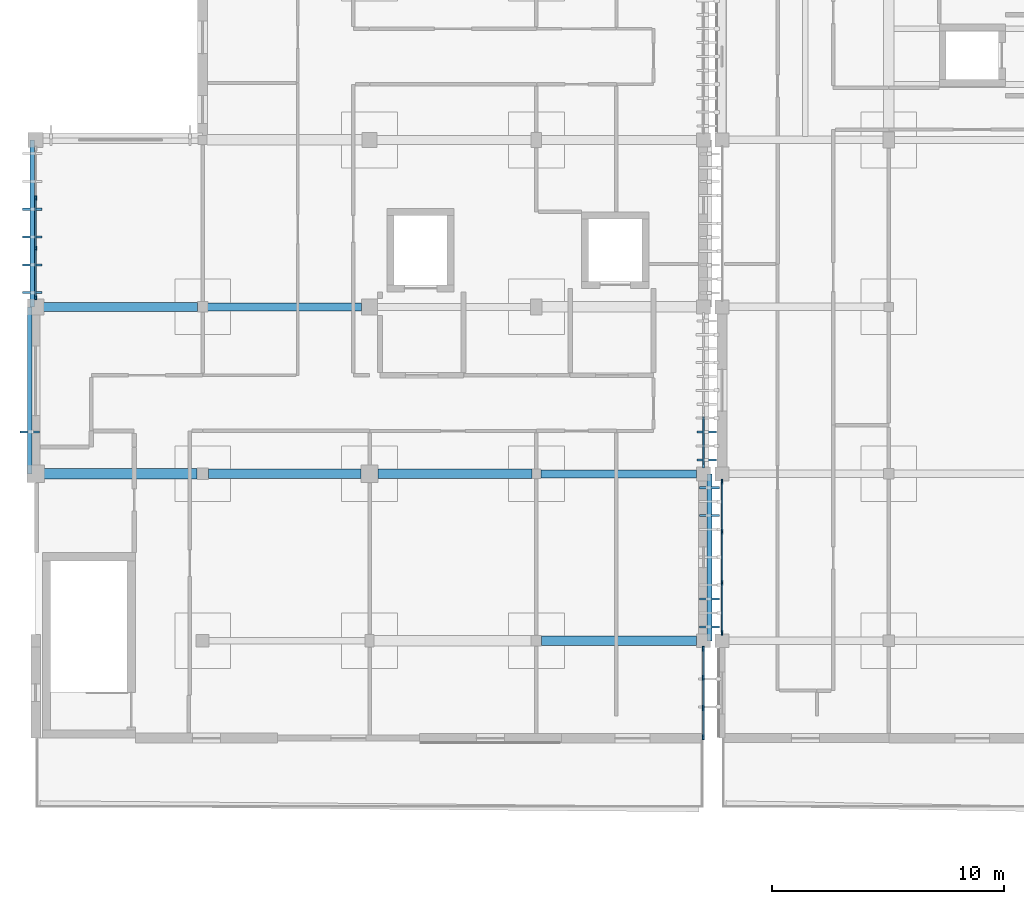
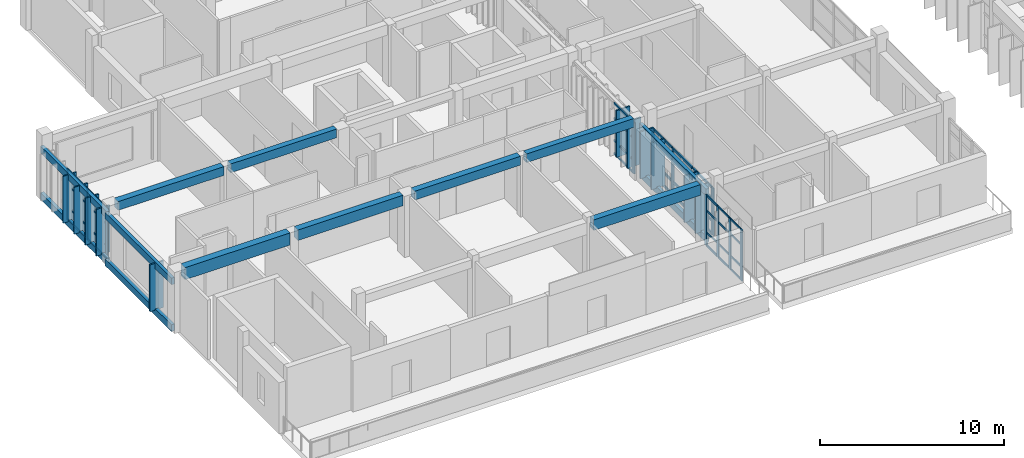
# One storey, part 3 of 55: 59 members, 13 beams, 4 elements without a shape of their own.
"""IFC4 building model written with IfcOpenShell, lengths in metres."""

from ifc_helpers import new_model, si_unit, direction, frame, origin, origin_2d, place, context, subcontext, project, spatial, rectangle, extrude, material, material_profile, profile_set, type_object, element, aggregate, save


model = new_model("IFC4")

# Units and contexts
model_context = context("Model", 3, precision=1e-05, world=origin(), true_north=direction((0.0, 1.0)))
body_context = subcontext(model_context, "Body", "Model", "MODEL_VIEW")
ifc_project = project(units=[si_unit("LENGTHUNIT", "METRE"), si_unit("AREAUNIT", "SQUARE_METRE"), si_unit("VOLUMEUNIT", "CUBIC_METRE"), si_unit("PLANEANGLEUNIT", "RADIAN"), si_unit("MASSUNIT", "GRAM", prefix="KILO")], contexts=[model_context])

# Site, building, storey
site_placement = place(None, origin())
site = spatial("IfcSite", under=ifc_project, at=site_placement, CompositionType="ELEMENT")
building_placement = place(site_placement, origin())
building = spatial("IfcBuilding", under=site, at=building_placement, Name="Steenspoor Specialist Clinic", CompositionType="ELEMENT")
storey_placement = place(building_placement, frame((0.0, 0.0, 13.199951171875)))
storey = spatial("IfcBuildingStorey", under=building, at=storey_placement, Name="L03", CompositionType="ELEMENT", Elevation=13.199951171875)

# Beams
ifc_material_1 = material(Name="Glulam GL28h", Category="wood")
ifc_material_profile_1 = material_profile(ifc_material_1, rectangle(XDim=0.199951171875, YDim=0.43994140625, at=origin_2d()), Name="GL28H-200X440")
ifc_profile_set_1 = profile_set([ifc_material_profile_1], Name="Glulam GL28h")
beam_type_1 = type_object("IfcBeamType", Name="BM-GL-200X440", PredefinedType="BEAM", material=ifc_profile_set_1)
for number, where, z_axis, x_axis, name in (
    (1, (22.550048828125, 79.550048828125, 0.14013671875), (0.0, 1.0, 0.0), (-1.0, 0.0, 0.0), "Timber Screen Tie Rail V5 L03 178"),
    (2, (22.550048828125, 79.550048828125, 3.22998046875), (0.0, 1.0, 0.0), (-1.0, 0.0, 0.0), "Timber Screen Tie Rail V5 L03 179"),
    (3, (22.64990234375, 86.75, 0.14013671875), (0.0, 1.0, 0.0), (-1.0, 0.0, 0.0), "Timber Screen Tie Rail V5 L03 181"),
    (4, (22.64990234375, 86.75, 3.22998046875), (0.0, 1.0, 0.0), (-1.0, 0.0, 0.0), "Timber Screen Tie Rail V5 L03 182"),
    (5, (51.864990234375, 79.550048828125, 0.14013671875), (0.0, -1.0, 0.0), (1.0, 0.0, 0.0), "Timber Screen Tie Rail V5 L03 230"),
    (6, (51.864990234375, 79.550048828125, 3.22998046875), (0.0, -1.0, 0.0), (1.0, 0.0, 0.0), "Timber Screen Tie Rail V5 L03 231"),
):
    element("IfcBeam", number, at=place(storey_placement, frame(where, z_axis=z_axis, x_axis=x_axis)), inside=storey, type_object=beam_type_1, Name=name, PredefinedType="BEAM", context=body_context, shape_type="SweptSolid", body=[
        extrude(rectangle(XDim=0.199951171875, YDim=0.43994140625, at=origin_2d()), origin(), (0.0, 0.0, 1.0), 7.199951171875),
    ])
ifc_material_2 = material(Name="Concrete C35/45", Category="concrete")
ifc_material_profile_2 = material_profile(ifc_material_2, rectangle(XDim=0.35009765625, YDim=0.580078125, at=origin_2d()), Name="RC-BM-350X580")
ifc_profile_set_2 = profile_set([ifc_material_profile_2], Name="Concrete C35/45")
beam_type_2 = type_object("IfcBeamType", Name="BM-RC-350X580", PredefinedType="BEAM", material=ifc_profile_set_2)
beam_1_placement = place(storey_placement, frame((44.594970703125, 79.550048828125, 3.7451171875), z_axis=(1.0, 0.0, 0.0), x_axis=(0.0, 1.0, 0.0)))
element("IfcBeam", 7, at=beam_1_placement, inside=storey, type_object=beam_type_2, Name="BM-V5-L03-X1342", PredefinedType="BEAM", context=body_context, shape_type="SweptSolid", body=[
    extrude(rectangle(XDim=0.35009765625, YDim=0.580078125, at=origin_2d()), origin(), (0.0, 0.0, 1.0), 6.7099609375),
])
beam_2_placement = place(storey_placement, frame((30.219970703125, 86.75, 3.7451171875), z_axis=(1.0, 0.0, 0.0), x_axis=(0.0, 1.0, 0.0)))
element("IfcBeam", 8, at=beam_2_placement, inside=storey, type_object=beam_type_2, Name="BM-V5-L03-X1344", PredefinedType="BEAM", context=body_context, shape_type="SweptSolid", body=[
    extrude(rectangle(XDim=0.35009765625, YDim=0.580078125, at=origin_2d()), origin(), (0.0, 0.0, 1.0), 6.635009765625),
])
ifc_material_profile_3 = material_profile(ifc_material_2, rectangle(XDim=0.39990234375, YDim=0.580078125, at=origin_2d()), Name="RC-BM-400X580")
ifc_profile_set_3 = profile_set([ifc_material_profile_3], Name="Concrete C35/45")
beam_type_3 = type_object("IfcBeamType", Name="BM-RC-400X580", PredefinedType="BEAM", material=ifc_profile_set_3)
for number, where, z_axis, x_axis, name in (
    (9, (37.570068359375, 79.550048828125, 3.7451171875), (1.0, 0.0, 0.0), (0.0, 1.0, 0.0), "BM-V5-L03-X1341"),
    (10, (23.14501953125, 86.75, 3.7451171875), (1.0, 0.0, 0.0), (0.0, 1.0, 0.0), "BM-V5-L03-X1343"),
):
    element("IfcBeam", number, at=place(storey_placement, frame(where, z_axis=z_axis, x_axis=x_axis)), inside=storey, type_object=beam_type_3, Name=name, PredefinedType="BEAM", context=body_context, shape_type="SweptSolid", body=[
        extrude(rectangle(XDim=0.39990234375, YDim=0.580078125, at=origin_2d()), origin(), (0.0, 0.0, 1.0), 6.635009765625),
    ])
ifc_material_profile_4 = material_profile(ifc_material_2, rectangle(XDim=0.39990234375, YDim=0.699951171875, at=origin_2d()), Name="RC-BM-400X700")
ifc_profile_set_4 = profile_set([ifc_material_profile_4], Name="Concrete C35/45")
beam_type_4 = type_object("IfcBeamType", Name="BM-RC-400X700", PredefinedType="BEAM", material=ifc_profile_set_4)
beam_3_placement = place(storey_placement, frame((44.6201171875, 72.35009765625, 3.68505859375), z_axis=(1.0, 0.0, 0.0), x_axis=(0.0, 1.0, 0.0)))
element("IfcBeam", 11, at=beam_3_placement, inside=storey, type_object=beam_type_4, Name="BM-V5-L03-X1338", PredefinedType="BEAM", context=body_context, shape_type="SweptSolid", body=[
    extrude(rectangle(XDim=0.39990234375, YDim=0.699951171875, at=origin_2d()), origin(), (0.0, 0.0, 1.0), 6.684814453125),
])
beam_4_placement = place(storey_placement, frame((30.2451171875, 79.550048828125, 3.68505859375), z_axis=(1.0, 0.0, 0.0), x_axis=(0.0, 1.0, 0.0)))
element("IfcBeam", 12, at=beam_4_placement, inside=storey, type_object=beam_type_4, Name="BM-V5-L03-X1340", PredefinedType="BEAM", context=body_context, shape_type="SweptSolid", body=[
    extrude(rectangle(XDim=0.39990234375, YDim=0.699951171875, at=origin_2d()), origin(), (0.0, 0.0, 1.0), 6.5849609375),
])
ifc_material_profile_5 = material_profile(ifc_material_2, rectangle(XDim=0.449951171875, YDim=0.800048828125, at=origin_2d()), Name="RC-BM-450X800")
ifc_profile_set_5 = profile_set([ifc_material_profile_5], Name="Concrete C35/45")
beam_type_5 = type_object("IfcBeamType", Name="BM-RC-450X800", PredefinedType="BEAM", material=ifc_profile_set_5)
beam_5_placement = place(storey_placement, frame((23.169921875, 79.550048828125, 3.635009765625), z_axis=(1.0, 0.0, 0.0), x_axis=(0.0, 1.0, 0.0)))
element("IfcBeam", 13, at=beam_5_placement, inside=storey, type_object=beam_type_5, Name="BM-V5-L03-X1339", PredefinedType="BEAM", context=body_context, shape_type="SweptSolid", body=[
    extrude(rectangle(XDim=0.449951171875, YDim=0.800048828125, at=origin_2d()), origin(), (0.0, 0.0, 1.0), 6.5849609375),
])

# Curtain wall, members
ifc_material_3 = material(Name="Thermally broken aluminium and low-emissivity glass", Category="aluminium")
curtain_wall_type_1 = type_object("IfcCurtainWallType", Name="CW-TYP-420X355", PredefinedType="USERDEFINED", material=ifc_material_3)
curtain_wall_1_placement = place(storey_placement, origin())
curtain_wall_1 = element("IfcCurtainWall", 14, at=curtain_wall_1_placement, inside=storey, type_object=curtain_wall_type_1, Name="Unitised Curtain Wall CW-V5-L03-157", ObjectType="UNITISED GLAZING", PredefinedType="USERDEFINED")
ifc_material_4 = material(Name="Thermally broken aluminium 6063-T6", Category="aluminium")
ifc_material_profile_6 = material_profile(ifc_material_4, rectangle(XDim=0.080078125, YDim=0.179931640625, at=origin_2d()), Name="CWM-80X180")
ifc_profile_set_6 = profile_set([ifc_material_profile_6], Name="Thermally broken aluminium 6063-T6")
member_type_1 = type_object("IfcMemberType", Name="CW-MULL-80X180", PredefinedType="MULLION", material=ifc_profile_set_6)
member_1_placement = place(storey_placement, frame((22.800048828125, 87.139892578125, 0.0), z_axis=(0.0, 0.0, 1.0), x_axis=(-1.0, 0.0, 0.0)))
member_1 = element("IfcMember", 15, at=member_1_placement, type_object=member_type_1, Name="CW-13 mullion 1", PredefinedType="MULLION", context=body_context, shape_type="SweptSolid", body=[
    extrude(rectangle(XDim=0.080078125, YDim=0.179931640625, at=origin_2d()), origin(), (0.0, 0.0, 1.0), 3.380126953125),
])
member_2_placement = place(storey_placement, frame((22.800048828125, 89.27490234375, 0.0), z_axis=(0.0, 0.0, 1.0), x_axis=(-1.0, 0.0, 0.0)))
member_2 = element("IfcMember", 16, at=member_2_placement, type_object=member_type_1, Name="CW-13 mullion 2", PredefinedType="MULLION", context=body_context, shape_type="SweptSolid", body=[
    extrude(rectangle(XDim=0.080078125, YDim=0.179931640625, at=origin_2d()), origin(), (0.0, 0.0, 1.0), 3.380126953125),
])
member_3_placement = place(storey_placement, frame((22.800048828125, 91.449951171875, 0.0), z_axis=(0.0, 0.0, 1.0), x_axis=(-1.0, 0.0, 0.0)))
member_3 = element("IfcMember", 17, at=member_3_placement, type_object=member_type_1, Name="CW-13 mullion 3", PredefinedType="MULLION", context=body_context, shape_type="SweptSolid", body=[
    extrude(rectangle(XDim=0.080078125, YDim=0.179931640625, at=origin_2d()), origin(), (0.0, 0.0, 1.0), 3.380126953125),
])

curtain_wall_type_2 = type_object("IfcCurtainWallType", Name="CW-STR-220X415", PredefinedType="USERDEFINED", material=ifc_material_3)
curtain_wall_2_placement = place(storey_placement, origin())
curtain_wall_2 = element("IfcCurtainWall", 18, at=curtain_wall_2_placement, inside=storey, type_object=curtain_wall_type_2, Name="Unitised Curtain Wall CW-V4-L03-120", ObjectType="UNITISED GLAZING", PredefinedType="USERDEFINED")
ifc_material_profile_7 = material_profile(ifc_material_4, rectangle(XDim=0.080078125, YDim=0.219970703125, at=origin_2d()), Name="CWM-80X220")
ifc_profile_set_7 = profile_set([ifc_material_profile_7], Name="Thermally broken aluminium 6063-T6")
member_type_2 = type_object("IfcMemberType", Name="CW-MULL-80X220", PredefinedType="MULLION", material=ifc_profile_set_7)
member_4_placement = place(storey_placement, frame((52.39990234375, 72.68994140625, 0.0), z_axis=(0.0, 0.0, 1.0), x_axis=(-1.0, 0.0, 0.0)))
member_4 = element("IfcMember", 19, at=member_4_placement, type_object=member_type_2, Name="CW-24 mullion 1", PredefinedType="MULLION", context=body_context, shape_type="SweptSolid", body=[
    extrude(rectangle(XDim=0.080078125, YDim=0.219970703125, at=origin_2d()), origin(), (0.0, 0.0, 1.0), 3.130126953125),
])
member_5_placement = place(storey_placement, frame((52.39990234375, 74.85009765625, 0.0), z_axis=(0.0, 0.0, 1.0), x_axis=(-1.0, 0.0, 0.0)))
member_5 = element("IfcMember", 20, at=member_5_placement, type_object=member_type_2, Name="CW-24 mullion 2", PredefinedType="MULLION", context=body_context, shape_type="SweptSolid", body=[
    extrude(rectangle(XDim=0.080078125, YDim=0.219970703125, at=origin_2d()), origin(), (0.0, 0.0, 1.0), 3.130126953125),
])
member_6_placement = place(storey_placement, frame((52.39990234375, 77.050048828125, 0.0), z_axis=(0.0, 0.0, 1.0), x_axis=(-1.0, 0.0, 0.0)))
member_6 = element("IfcMember", 21, at=member_6_placement, type_object=member_type_2, Name="CW-24 mullion 3", PredefinedType="MULLION", context=body_context, shape_type="SweptSolid", body=[
    extrude(rectangle(XDim=0.080078125, YDim=0.219970703125, at=origin_2d()), origin(), (0.0, 0.0, 1.0), 3.130126953125),
])
member_7_placement = place(storey_placement, frame((52.39990234375, 79.2099609375, 0.0), z_axis=(0.0, 0.0, 1.0), x_axis=(-1.0, 0.0, 0.0)))
member_7 = element("IfcMember", 22, at=member_7_placement, type_object=member_type_2, Name="CW-24 mullion 4", PredefinedType="MULLION", context=body_context, shape_type="SweptSolid", body=[
    extrude(rectangle(XDim=0.080078125, YDim=0.219970703125, at=origin_2d()), origin(), (0.0, 0.0, 1.0), 3.130126953125),
])

curtain_wall_type_3 = type_object("IfcCurtainWallType", Name="CW-SCR-480X320", PredefinedType="USERDEFINED", material=ifc_material_3)
curtain_wall_3_placement = place(storey_placement, origin())
curtain_wall_3 = element("IfcCurtainWall", 23, at=curtain_wall_3_placement, inside=storey, type_object=curtain_wall_type_3, Name="Unitised Curtain Wall CW-V5-L03-162", ObjectType="UNITISED GLAZING", PredefinedType="USERDEFINED")
member_8_placement = place(storey_placement, frame((51.60009765625, 72.010009765625, 0.0), z_axis=(0.0, 0.0, 1.0), x_axis=(1.0, 0.0, 0.0)))
member_8 = element("IfcMember", 24, at=member_8_placement, type_object=member_type_2, Name="CW-18 mullion 1", PredefinedType="MULLION", context=body_context, shape_type="SweptSolid", body=[
    extrude(rectangle(XDim=0.080078125, YDim=0.219970703125, at=origin_2d()), origin(), (0.0, 0.0, 1.0), 3.380126953125),
])
member_9_placement = place(storey_placement, frame((51.60009765625, 70.75, 0.0), z_axis=(0.0, 0.0, 1.0), x_axis=(1.0, 0.0, 0.0)))
member_9 = element("IfcMember", 25, at=member_9_placement, type_object=member_type_2, Name="CW-18 mullion 2", PredefinedType="MULLION", context=body_context, shape_type="SweptSolid", body=[
    extrude(rectangle(XDim=0.080078125, YDim=0.219970703125, at=origin_2d()), origin(), (0.0, 0.0, 1.0), 3.380126953125),
])
member_10_placement = place(storey_placement, frame((51.60009765625, 69.449951171875, 0.0), z_axis=(0.0, 0.0, 1.0), x_axis=(1.0, 0.0, 0.0)))
member_10 = element("IfcMember", 26, at=member_10_placement, type_object=member_type_2, Name="CW-18 mullion 3", PredefinedType="MULLION", context=body_context, shape_type="SweptSolid", body=[
    extrude(rectangle(XDim=0.080078125, YDim=0.219970703125, at=origin_2d()), origin(), (0.0, 0.0, 1.0), 3.380126953125),
])
member_11_placement = place(storey_placement, frame((51.60009765625, 68.18994140625, 0.0), z_axis=(0.0, 0.0, 1.0), x_axis=(1.0, 0.0, 0.0)))
member_11 = element("IfcMember", 27, at=member_11_placement, type_object=member_type_2, Name="CW-18 mullion 4", PredefinedType="MULLION", context=body_context, shape_type="SweptSolid", body=[
    extrude(rectangle(XDim=0.080078125, YDim=0.219970703125, at=origin_2d()), origin(), (0.0, 0.0, 1.0), 3.380126953125),
])

# Curtain wall, member
curtain_wall_type_4 = type_object("IfcCurtainWallType", Name="CW-SCR-660X320", PredefinedType="USERDEFINED", material=ifc_material_3)
curtain_wall_4_placement = place(storey_placement, origin())
curtain_wall_4 = element("IfcCurtainWall", 28, at=curtain_wall_4_placement, inside=storey, type_object=curtain_wall_type_4, Name="Unitised Curtain Wall CW-V5-L03-161", ObjectType="UNITISED GLAZING", PredefinedType="USERDEFINED")
ifc_material_profile_8 = material_profile(ifc_material_4, rectangle(XDim=0.090087890625, YDim=0.199951171875, at=origin_2d()), Name="CWM-90X200")
ifc_profile_set_8 = profile_set([ifc_material_profile_8], Name="Thermally broken aluminium 6063-T6")
member_type_3 = type_object("IfcMemberType", Name="CW-MULL-90X200", PredefinedType="MULLION", material=ifc_profile_set_8)
member_12_placement = place(storey_placement, frame((51.60009765625, 79.89501953125, 0.0), z_axis=(0.0, 0.0, 1.0), x_axis=(1.0, 0.0, 0.0)))
member_12 = element("IfcMember", 29, at=member_12_placement, type_object=member_type_3, Name="CW-17 mullion 4", PredefinedType="MULLION", context=body_context, shape_type="SweptSolid", body=[
    extrude(rectangle(XDim=0.090087890625, YDim=0.199951171875, at=origin_2d()), origin(), (0.0, 0.0, 1.0), 3.380126953125),
])

# Member
ifc_material_profile_9 = material_profile(ifc_material_4, rectangle(XDim=0.06494140625, YDim=0.1298828125, at=origin_2d()), Name="CWT-65X130")
ifc_profile_set_9 = profile_set([ifc_material_profile_9], Name="Thermally broken aluminium 6063-T6")
member_type_4 = type_object("IfcMemberType", Name="CW-TRAN-65X130", PredefinedType="USERDEFINED", material=ifc_profile_set_9)
member_13_placement = place(storey_placement, frame((22.800048828125, 87.179931640625, 0.032470703125), z_axis=(0.0, 1.0, 0.0), x_axis=(-1.0, 0.0, 0.0)))
member_13 = element("IfcMember", 30, at=member_13_placement, type_object=member_type_4, Name="CW-13 transom 1.1", ObjectType="TRANSOM", PredefinedType="USERDEFINED", context=body_context, shape_type="SweptSolid", body=[
    extrude(rectangle(XDim=0.06494140625, YDim=0.1298828125, at=origin_2d()), origin(), (0.0, 0.0, 1.0), 2.05517578125),
])

member_14_placement = place(storey_placement, frame((22.800048828125, 87.179931640625, 0.900146484375), z_axis=(0.0, 1.0, 0.0), x_axis=(-1.0, 0.0, 0.0)))
member_14 = element("IfcMember", 31, at=member_14_placement, type_object=member_type_4, Name="CW-13 transom 1.2", ObjectType="TRANSOM", PredefinedType="USERDEFINED", context=body_context, shape_type="SweptSolid", body=[
    extrude(rectangle(XDim=0.06494140625, YDim=0.1298828125, at=origin_2d()), origin(), (0.0, 0.0, 1.0), 2.05517578125),
])

member_15_placement = place(storey_placement, frame((22.800048828125, 87.179931640625, 2.35009765625), z_axis=(0.0, 1.0, 0.0), x_axis=(-1.0, 0.0, 0.0)))
member_15 = element("IfcMember", 32, at=member_15_placement, type_object=member_type_4, Name="CW-13 transom 1.3", ObjectType="TRANSOM", PredefinedType="USERDEFINED", context=body_context, shape_type="SweptSolid", body=[
    extrude(rectangle(XDim=0.06494140625, YDim=0.1298828125, at=origin_2d()), origin(), (0.0, 0.0, 1.0), 2.05517578125),
])

member_16_placement = place(storey_placement, frame((22.800048828125, 87.179931640625, 3.34765625), z_axis=(0.0, 1.0, 0.0), x_axis=(-1.0, 0.0, 0.0)))
member_16 = element("IfcMember", 33, at=member_16_placement, type_object=member_type_4, Name="CW-13 transom 1.4", ObjectType="TRANSOM", PredefinedType="USERDEFINED", context=body_context, shape_type="SweptSolid", body=[
    extrude(rectangle(XDim=0.06494140625, YDim=0.1298828125, at=origin_2d()), origin(), (0.0, 0.0, 1.0), 2.05517578125),
])

member_17_placement = place(storey_placement, frame((22.800048828125, 89.31494140625, 0.032470703125), z_axis=(0.0, 1.0, 0.0), x_axis=(-1.0, 0.0, 0.0)))
member_17 = element("IfcMember", 34, at=member_17_placement, type_object=member_type_4, Name="CW-13 transom 2.1", ObjectType="TRANSOM", PredefinedType="USERDEFINED", context=body_context, shape_type="SweptSolid", body=[
    extrude(rectangle(XDim=0.06494140625, YDim=0.1298828125, at=origin_2d()), origin(), (0.0, 0.0, 1.0), 2.094970703125),
])

member_18_placement = place(storey_placement, frame((22.800048828125, 89.31494140625, 0.900146484375), z_axis=(0.0, 1.0, 0.0), x_axis=(-1.0, 0.0, 0.0)))
member_18 = element("IfcMember", 35, at=member_18_placement, type_object=member_type_4, Name="CW-13 transom 2.2", ObjectType="TRANSOM", PredefinedType="USERDEFINED", context=body_context, shape_type="SweptSolid", body=[
    extrude(rectangle(XDim=0.06494140625, YDim=0.1298828125, at=origin_2d()), origin(), (0.0, 0.0, 1.0), 2.094970703125),
])

member_19_placement = place(storey_placement, frame((22.800048828125, 89.31494140625, 2.35009765625), z_axis=(0.0, 1.0, 0.0), x_axis=(-1.0, 0.0, 0.0)))
member_19 = element("IfcMember", 36, at=member_19_placement, type_object=member_type_4, Name="CW-13 transom 2.3", ObjectType="TRANSOM", PredefinedType="USERDEFINED", context=body_context, shape_type="SweptSolid", body=[
    extrude(rectangle(XDim=0.06494140625, YDim=0.1298828125, at=origin_2d()), origin(), (0.0, 0.0, 1.0), 2.094970703125),
])

member_20_placement = place(storey_placement, frame((22.800048828125, 89.31494140625, 3.34765625), z_axis=(0.0, 1.0, 0.0), x_axis=(-1.0, 0.0, 0.0)))
member_20 = element("IfcMember", 37, at=member_20_placement, type_object=member_type_4, Name="CW-13 transom 2.4", ObjectType="TRANSOM", PredefinedType="USERDEFINED", context=body_context, shape_type="SweptSolid", body=[
    extrude(rectangle(XDim=0.06494140625, YDim=0.1298828125, at=origin_2d()), origin(), (0.0, 0.0, 1.0), 2.094970703125),
])

aggregate(curtain_wall_1, [member_1, member_2, member_3, member_13, member_14, member_15, member_16, member_17, member_18, member_19, member_20])

member_21_placement = place(storey_placement, frame((51.60009765625, 71.969970703125, 0.032470703125), z_axis=(0.0, -1.0, 0.0), x_axis=(1.0, 0.0, 0.0)))
member_21 = element("IfcMember", 38, at=member_21_placement, type_object=member_type_4, Name="CW-18 transom 1.1", ObjectType="TRANSOM", PredefinedType="USERDEFINED", context=body_context, shape_type="SweptSolid", body=[
    extrude(rectangle(XDim=0.06494140625, YDim=0.1298828125, at=origin_2d()), origin(), (0.0, 0.0, 1.0), 1.179931640625),
])

member_22_placement = place(storey_placement, frame((51.60009765625, 71.969970703125, 0.900146484375), z_axis=(0.0, -1.0, 0.0), x_axis=(1.0, 0.0, 0.0)))
member_22 = element("IfcMember", 39, at=member_22_placement, type_object=member_type_4, Name="CW-18 transom 1.2", ObjectType="TRANSOM", PredefinedType="USERDEFINED", context=body_context, shape_type="SweptSolid", body=[
    extrude(rectangle(XDim=0.06494140625, YDim=0.1298828125, at=origin_2d()), origin(), (0.0, 0.0, 1.0), 1.179931640625),
])

member_23_placement = place(storey_placement, frame((51.60009765625, 71.969970703125, 2.35009765625), z_axis=(0.0, -1.0, 0.0), x_axis=(1.0, 0.0, 0.0)))
member_23 = element("IfcMember", 40, at=member_23_placement, type_object=member_type_4, Name="CW-18 transom 1.3", ObjectType="TRANSOM", PredefinedType="USERDEFINED", context=body_context, shape_type="SweptSolid", body=[
    extrude(rectangle(XDim=0.06494140625, YDim=0.1298828125, at=origin_2d()), origin(), (0.0, 0.0, 1.0), 1.179931640625),
])

member_24_placement = place(storey_placement, frame((51.60009765625, 71.969970703125, 3.34765625), z_axis=(0.0, -1.0, 0.0), x_axis=(1.0, 0.0, 0.0)))
member_24 = element("IfcMember", 41, at=member_24_placement, type_object=member_type_4, Name="CW-18 transom 1.4", ObjectType="TRANSOM", PredefinedType="USERDEFINED", context=body_context, shape_type="SweptSolid", body=[
    extrude(rectangle(XDim=0.06494140625, YDim=0.1298828125, at=origin_2d()), origin(), (0.0, 0.0, 1.0), 1.179931640625),
])

member_25_placement = place(storey_placement, frame((51.60009765625, 70.7099609375, 0.032470703125), z_axis=(0.0, -1.0, 0.0), x_axis=(1.0, 0.0, 0.0)))
member_25 = element("IfcMember", 42, at=member_25_placement, type_object=member_type_4, Name="CW-18 transom 2.1", ObjectType="TRANSOM", PredefinedType="USERDEFINED", context=body_context, shape_type="SweptSolid", body=[
    extrude(rectangle(XDim=0.06494140625, YDim=0.1298828125, at=origin_2d()), origin(), (0.0, 0.0, 1.0), 1.219970703125),
])

member_26_placement = place(storey_placement, frame((51.60009765625, 70.7099609375, 0.900146484375), z_axis=(0.0, -1.0, 0.0), x_axis=(1.0, 0.0, 0.0)))
member_26 = element("IfcMember", 43, at=member_26_placement, type_object=member_type_4, Name="CW-18 transom 2.2", ObjectType="TRANSOM", PredefinedType="USERDEFINED", context=body_context, shape_type="SweptSolid", body=[
    extrude(rectangle(XDim=0.06494140625, YDim=0.1298828125, at=origin_2d()), origin(), (0.0, 0.0, 1.0), 1.219970703125),
])

member_27_placement = place(storey_placement, frame((51.60009765625, 70.7099609375, 2.35009765625), z_axis=(0.0, -1.0, 0.0), x_axis=(1.0, 0.0, 0.0)))
member_27 = element("IfcMember", 44, at=member_27_placement, type_object=member_type_4, Name="CW-18 transom 2.3", ObjectType="TRANSOM", PredefinedType="USERDEFINED", context=body_context, shape_type="SweptSolid", body=[
    extrude(rectangle(XDim=0.06494140625, YDim=0.1298828125, at=origin_2d()), origin(), (0.0, 0.0, 1.0), 1.219970703125),
])

member_28_placement = place(storey_placement, frame((51.60009765625, 70.7099609375, 3.34765625), z_axis=(0.0, -1.0, 0.0), x_axis=(1.0, 0.0, 0.0)))
member_28 = element("IfcMember", 45, at=member_28_placement, type_object=member_type_4, Name="CW-18 transom 2.4", ObjectType="TRANSOM", PredefinedType="USERDEFINED", context=body_context, shape_type="SweptSolid", body=[
    extrude(rectangle(XDim=0.06494140625, YDim=0.1298828125, at=origin_2d()), origin(), (0.0, 0.0, 1.0), 1.219970703125),
])

member_29_placement = place(storey_placement, frame((51.60009765625, 69.409912109375, 0.032470703125), z_axis=(0.0, -1.0, 0.0), x_axis=(1.0, 0.0, 0.0)))
member_29 = element("IfcMember", 46, at=member_29_placement, type_object=member_type_4, Name="CW-18 transom 3.1", ObjectType="TRANSOM", PredefinedType="USERDEFINED", context=body_context, shape_type="SweptSolid", body=[
    extrude(rectangle(XDim=0.06494140625, YDim=0.1298828125, at=origin_2d()), origin(), (0.0, 0.0, 1.0), 1.179931640625),
])

member_30_placement = place(storey_placement, frame((51.60009765625, 69.409912109375, 0.900146484375), z_axis=(0.0, -1.0, 0.0), x_axis=(1.0, 0.0, 0.0)))
member_30 = element("IfcMember", 47, at=member_30_placement, type_object=member_type_4, Name="CW-18 transom 3.2", ObjectType="TRANSOM", PredefinedType="USERDEFINED", context=body_context, shape_type="SweptSolid", body=[
    extrude(rectangle(XDim=0.06494140625, YDim=0.1298828125, at=origin_2d()), origin(), (0.0, 0.0, 1.0), 1.179931640625),
])

member_31_placement = place(storey_placement, frame((51.60009765625, 69.409912109375, 2.35009765625), z_axis=(0.0, -1.0, 0.0), x_axis=(1.0, 0.0, 0.0)))
member_31 = element("IfcMember", 48, at=member_31_placement, type_object=member_type_4, Name="CW-18 transom 3.3", ObjectType="TRANSOM", PredefinedType="USERDEFINED", context=body_context, shape_type="SweptSolid", body=[
    extrude(rectangle(XDim=0.06494140625, YDim=0.1298828125, at=origin_2d()), origin(), (0.0, 0.0, 1.0), 1.179931640625),
])

member_32_placement = place(storey_placement, frame((51.60009765625, 69.409912109375, 3.34765625), z_axis=(0.0, -1.0, 0.0), x_axis=(1.0, 0.0, 0.0)))
member_32 = element("IfcMember", 49, at=member_32_placement, type_object=member_type_4, Name="CW-18 transom 3.4", ObjectType="TRANSOM", PredefinedType="USERDEFINED", context=body_context, shape_type="SweptSolid", body=[
    extrude(rectangle(XDim=0.06494140625, YDim=0.1298828125, at=origin_2d()), origin(), (0.0, 0.0, 1.0), 1.179931640625),
])

aggregate(curtain_wall_3, [member_8, member_9, member_10, member_11, member_21, member_22, member_23, member_24, member_25, member_26, member_27, member_28, member_29, member_30, member_31, member_32])

ifc_material_profile_10 = material_profile(ifc_material_4, rectangle(XDim=0.070068359375, YDim=0.14501953125, at=origin_2d()), Name="CWT-70X145")
ifc_profile_set_10 = profile_set([ifc_material_profile_10], Name="Thermally broken aluminium 6063-T6")
member_type_5 = type_object("IfcMemberType", Name="CW-TRAN-70X145", PredefinedType="USERDEFINED", material=ifc_profile_set_10)
member_33_placement = place(storey_placement, frame((51.60009765625, 82.0048828125, 0.03515625), z_axis=(0.0, -1.0, 0.0), x_axis=(1.0, 0.0, 0.0)))
member_33 = element("IfcMember", 50, at=member_33_placement, type_object=member_type_5, Name="CW-17 transom 3.1", ObjectType="TRANSOM", PredefinedType="USERDEFINED", context=body_context, shape_type="SweptSolid", body=[
    extrude(rectangle(XDim=0.070068359375, YDim=0.14501953125, at=origin_2d()), origin(), (0.0, 0.0, 1.0), 2.06494140625),
])

member_34_placement = place(storey_placement, frame((51.60009765625, 82.0048828125, 0.900146484375), z_axis=(0.0, -1.0, 0.0), x_axis=(1.0, 0.0, 0.0)))
member_34 = element("IfcMember", 51, at=member_34_placement, type_object=member_type_5, Name="CW-17 transom 3.2", ObjectType="TRANSOM", PredefinedType="USERDEFINED", context=body_context, shape_type="SweptSolid", body=[
    extrude(rectangle(XDim=0.070068359375, YDim=0.14501953125, at=origin_2d()), origin(), (0.0, 0.0, 1.0), 2.06494140625),
])

member_35_placement = place(storey_placement, frame((51.60009765625, 82.0048828125, 2.35009765625), z_axis=(0.0, -1.0, 0.0), x_axis=(1.0, 0.0, 0.0)))
member_35 = element("IfcMember", 52, at=member_35_placement, type_object=member_type_5, Name="CW-17 transom 3.3", ObjectType="TRANSOM", PredefinedType="USERDEFINED", context=body_context, shape_type="SweptSolid", body=[
    extrude(rectangle(XDim=0.070068359375, YDim=0.14501953125, at=origin_2d()), origin(), (0.0, 0.0, 1.0), 2.06494140625),
])

member_36_placement = place(storey_placement, frame((51.60009765625, 82.0048828125, 3.344970703125), z_axis=(0.0, -1.0, 0.0), x_axis=(1.0, 0.0, 0.0)))
member_36 = element("IfcMember", 53, at=member_36_placement, type_object=member_type_5, Name="CW-17 transom 3.4", ObjectType="TRANSOM", PredefinedType="USERDEFINED", context=body_context, shape_type="SweptSolid", body=[
    extrude(rectangle(XDim=0.070068359375, YDim=0.14501953125, at=origin_2d()), origin(), (0.0, 0.0, 1.0), 2.06494140625),
])

aggregate(curtain_wall_4, [member_12, member_33, member_34, member_35, member_36])

ifc_material_profile_11 = material_profile(ifc_material_4, rectangle(XDim=0.080078125, YDim=0.159912109375, at=origin_2d()), Name="CWT-80X160")
ifc_profile_set_11 = profile_set([ifc_material_profile_11], Name="Thermally broken aluminium 6063-T6")
member_type_6 = type_object("IfcMemberType", Name="CW-TRAN-80X160", PredefinedType="USERDEFINED", material=ifc_profile_set_11)
member_37_placement = place(storey_placement, frame((52.39990234375, 72.72998046875, 0.0400390625), z_axis=(0.0, 1.0, 0.0), x_axis=(-1.0, 0.0, 0.0)))
member_37 = element("IfcMember", 54, at=member_37_placement, type_object=member_type_6, Name="CW-24 transom 1.1", ObjectType="TRANSOM", PredefinedType="USERDEFINED", context=body_context, shape_type="SweptSolid", body=[
    extrude(rectangle(XDim=0.080078125, YDim=0.159912109375, at=origin_2d()), origin(), (0.0, 0.0, 1.0), 2.080078125),
])

member_38_placement = place(storey_placement, frame((52.39990234375, 72.72998046875, 0.900146484375), z_axis=(0.0, 1.0, 0.0), x_axis=(-1.0, 0.0, 0.0)))
member_38 = element("IfcMember", 55, at=member_38_placement, type_object=member_type_6, Name="CW-24 transom 1.2", ObjectType="TRANSOM", PredefinedType="USERDEFINED", context=body_context, shape_type="SweptSolid", body=[
    extrude(rectangle(XDim=0.080078125, YDim=0.159912109375, at=origin_2d()), origin(), (0.0, 0.0, 1.0), 2.080078125),
])

member_39_placement = place(storey_placement, frame((52.39990234375, 72.72998046875, 2.35009765625), z_axis=(0.0, 1.0, 0.0), x_axis=(-1.0, 0.0, 0.0)))
member_39 = element("IfcMember", 56, at=member_39_placement, type_object=member_type_6, Name="CW-24 transom 1.3", ObjectType="TRANSOM", PredefinedType="USERDEFINED", context=body_context, shape_type="SweptSolid", body=[
    extrude(rectangle(XDim=0.080078125, YDim=0.159912109375, at=origin_2d()), origin(), (0.0, 0.0, 1.0), 2.080078125),
])

member_40_placement = place(storey_placement, frame((52.39990234375, 72.72998046875, 3.090087890625), z_axis=(0.0, 1.0, 0.0), x_axis=(-1.0, 0.0, 0.0)))
member_40 = element("IfcMember", 57, at=member_40_placement, type_object=member_type_6, Name="CW-24 transom 1.4", ObjectType="TRANSOM", PredefinedType="USERDEFINED", context=body_context, shape_type="SweptSolid", body=[
    extrude(rectangle(XDim=0.080078125, YDim=0.159912109375, at=origin_2d()), origin(), (0.0, 0.0, 1.0), 2.080078125),
])

member_41_placement = place(storey_placement, frame((52.39990234375, 74.889892578125, 0.0400390625), z_axis=(0.0, 1.0, 0.0), x_axis=(-1.0, 0.0, 0.0)))
member_41 = element("IfcMember", 58, at=member_41_placement, type_object=member_type_6, Name="CW-24 transom 2.1", ObjectType="TRANSOM", PredefinedType="USERDEFINED", context=body_context, shape_type="SweptSolid", body=[
    extrude(rectangle(XDim=0.080078125, YDim=0.159912109375, at=origin_2d()), origin(), (0.0, 0.0, 1.0), 2.1201171875),
])

member_42_placement = place(storey_placement, frame((52.39990234375, 74.889892578125, 0.900146484375), z_axis=(0.0, 1.0, 0.0), x_axis=(-1.0, 0.0, 0.0)))
member_42 = element("IfcMember", 59, at=member_42_placement, type_object=member_type_6, Name="CW-24 transom 2.2", ObjectType="TRANSOM", PredefinedType="USERDEFINED", context=body_context, shape_type="SweptSolid", body=[
    extrude(rectangle(XDim=0.080078125, YDim=0.159912109375, at=origin_2d()), origin(), (0.0, 0.0, 1.0), 2.1201171875),
])

member_43_placement = place(storey_placement, frame((52.39990234375, 74.889892578125, 2.35009765625), z_axis=(0.0, 1.0, 0.0), x_axis=(-1.0, 0.0, 0.0)))
member_43 = element("IfcMember", 60, at=member_43_placement, type_object=member_type_6, Name="CW-24 transom 2.3", ObjectType="TRANSOM", PredefinedType="USERDEFINED", context=body_context, shape_type="SweptSolid", body=[
    extrude(rectangle(XDim=0.080078125, YDim=0.159912109375, at=origin_2d()), origin(), (0.0, 0.0, 1.0), 2.1201171875),
])

member_44_placement = place(storey_placement, frame((52.39990234375, 74.889892578125, 3.090087890625), z_axis=(0.0, 1.0, 0.0), x_axis=(-1.0, 0.0, 0.0)))
member_44 = element("IfcMember", 61, at=member_44_placement, type_object=member_type_6, Name="CW-24 transom 2.4", ObjectType="TRANSOM", PredefinedType="USERDEFINED", context=body_context, shape_type="SweptSolid", body=[
    extrude(rectangle(XDim=0.080078125, YDim=0.159912109375, at=origin_2d()), origin(), (0.0, 0.0, 1.0), 2.1201171875),
])

member_45_placement = place(storey_placement, frame((52.39990234375, 77.090087890625, 0.0400390625), z_axis=(0.0, 1.0, 0.0), x_axis=(-1.0, 0.0, 0.0)))
member_45 = element("IfcMember", 62, at=member_45_placement, type_object=member_type_6, Name="CW-24 transom 3.1", ObjectType="TRANSOM", PredefinedType="USERDEFINED", context=body_context, shape_type="SweptSolid", body=[
    extrude(rectangle(XDim=0.080078125, YDim=0.159912109375, at=origin_2d()), origin(), (0.0, 0.0, 1.0), 2.079833984375),
])

member_46_placement = place(storey_placement, frame((52.39990234375, 77.090087890625, 0.900146484375), z_axis=(0.0, 1.0, 0.0), x_axis=(-1.0, 0.0, 0.0)))
member_46 = element("IfcMember", 63, at=member_46_placement, type_object=member_type_6, Name="CW-24 transom 3.2", ObjectType="TRANSOM", PredefinedType="USERDEFINED", context=body_context, shape_type="SweptSolid", body=[
    extrude(rectangle(XDim=0.080078125, YDim=0.159912109375, at=origin_2d()), origin(), (0.0, 0.0, 1.0), 2.079833984375),
])

member_47_placement = place(storey_placement, frame((52.39990234375, 77.090087890625, 2.35009765625), z_axis=(0.0, 1.0, 0.0), x_axis=(-1.0, 0.0, 0.0)))
member_47 = element("IfcMember", 64, at=member_47_placement, type_object=member_type_6, Name="CW-24 transom 3.3", ObjectType="TRANSOM", PredefinedType="USERDEFINED", context=body_context, shape_type="SweptSolid", body=[
    extrude(rectangle(XDim=0.080078125, YDim=0.159912109375, at=origin_2d()), origin(), (0.0, 0.0, 1.0), 2.079833984375),
])

member_48_placement = place(storey_placement, frame((52.39990234375, 77.090087890625, 3.090087890625), z_axis=(0.0, 1.0, 0.0), x_axis=(-1.0, 0.0, 0.0)))
member_48 = element("IfcMember", 65, at=member_48_placement, type_object=member_type_6, Name="CW-24 transom 3.4", ObjectType="TRANSOM", PredefinedType="USERDEFINED", context=body_context, shape_type="SweptSolid", body=[
    extrude(rectangle(XDim=0.080078125, YDim=0.159912109375, at=origin_2d()), origin(), (0.0, 0.0, 1.0), 2.079833984375),
])

aggregate(curtain_wall_2, [member_4, member_5, member_6, member_7, member_37, member_38, member_39, member_40, member_41, member_42, member_43, member_44, member_45, member_46, member_47, member_48])

# Members
ifc_material_profile_12 = material_profile(ifc_material_1, rectangle(XDim=0.090087890625, YDim=0.85009765625, at=origin_2d()), Name="GL28H-90X850")
ifc_profile_set_12 = profile_set([ifc_material_profile_12], Name="Glulam GL28h")
member_type_7 = type_object("IfcMemberType", Name="MEM-SCREEN-GL850", PredefinedType="STRUT", material=ifc_profile_set_12)
for number, where, z_axis, x_axis, name in (
    (66, (22.550048828125, 81.362548828125, 0.27001953125), (0.0, 0.0, 1.0), (0.0, 1.0, 0.0), "Glulam Timber Screen Fin SCR-FIN-V5-L03-0180"),
    (67, (22.64990234375, 87.362548828125, 0.27001953125), (0.0, 0.0, 1.0), (0.0, 1.0, 0.0), "Glulam Timber Screen Fin SCR-FIN-V5-L03-0183"),
    (68, (22.64990234375, 88.5625, 0.27001953125), (0.0, 0.0, 1.0), (0.0, 1.0, 0.0), "Glulam Timber Screen Fin SCR-FIN-V5-L03-0184"),
    (69, (22.64990234375, 89.762451171875, 0.27001953125), (0.0, 0.0, 1.0), (0.0, 1.0, 0.0), "Glulam Timber Screen Fin SCR-FIN-V5-L03-0185"),
    (70, (22.64990234375, 90.96240234375, 0.27001953125), (0.0, 0.0, 1.0), (0.0, 1.0, 0.0), "Glulam Timber Screen Fin SCR-FIN-V5-L03-0186"),
    (71, (51.75, 81.35009765625, 0.27001953125), (0.0, 0.0, 1.0), (0.0, -1.0, 0.0), "Glulam Timber Screen Fin SCR-FIN-V5-L03-0228"),
    (72, (51.75, 80.14990234375, 0.27001953125), (0.0, 0.0, 1.0), (0.0, -1.0, 0.0), "Glulam Timber Screen Fin SCR-FIN-V5-L03-0229"),
    (73, (51.864990234375, 78.949951171875, 0.27001953125), (0.0, 0.0, 1.0), (0.0, -1.0, 0.0), "Glulam Timber Screen Fin SCR-FIN-V5-L03-0232"),
    (74, (51.864990234375, 77.75, 0.27001953125), (0.0, 0.0, 1.0), (0.0, -1.0, 0.0), "Glulam Timber Screen Fin SCR-FIN-V5-L03-0233"),
    (75, (51.864990234375, 74.14990234375, 0.27001953125), (0.0, 0.0, 1.0), (0.0, -1.0, 0.0), "Glulam Timber Screen Fin SCR-FIN-V5-L03-0234"),
    (76, (51.864990234375, 72.949951171875, 0.27001953125), (0.0, 0.0, 1.0), (0.0, -1.0, 0.0), "Glulam Timber Screen Fin SCR-FIN-V5-L03-0235"),
):
    element("IfcMember", number, at=place(storey_placement, frame(where, z_axis=z_axis, x_axis=x_axis)), inside=storey, type_object=member_type_7, Name=name, PredefinedType="STRUT", context=body_context, shape_type="SweptSolid", body=[
        extrude(rectangle(XDim=0.090087890625, YDim=0.85009765625, at=origin_2d()), origin(), (0.0, 0.0, 1.0), 3.10009765625),
    ])

save(model, "model.ifc")
